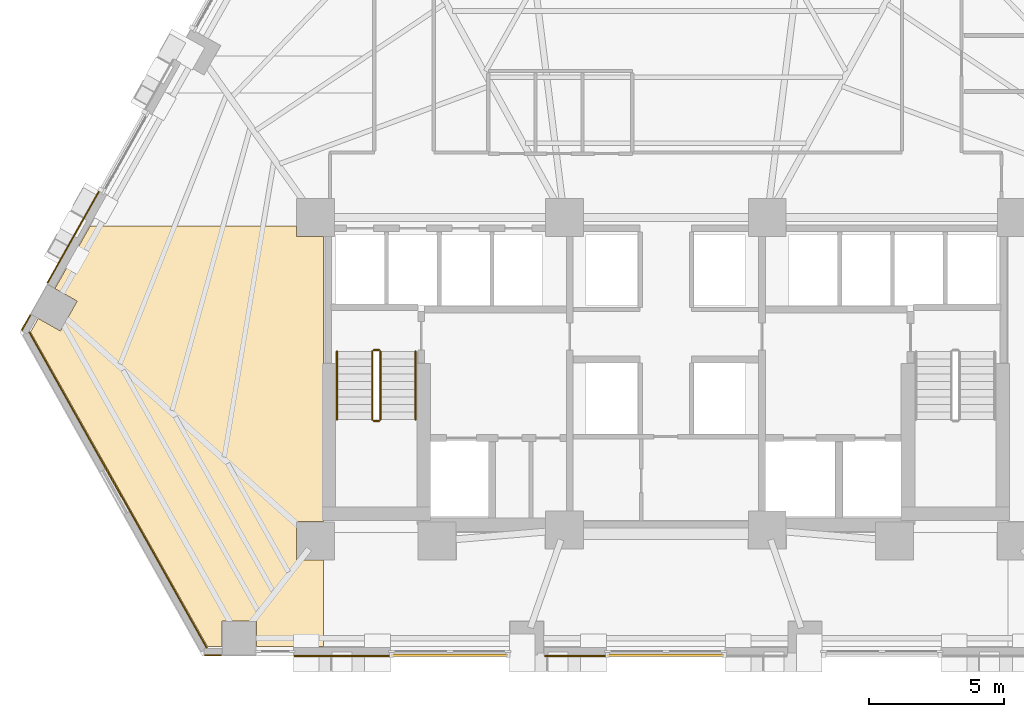
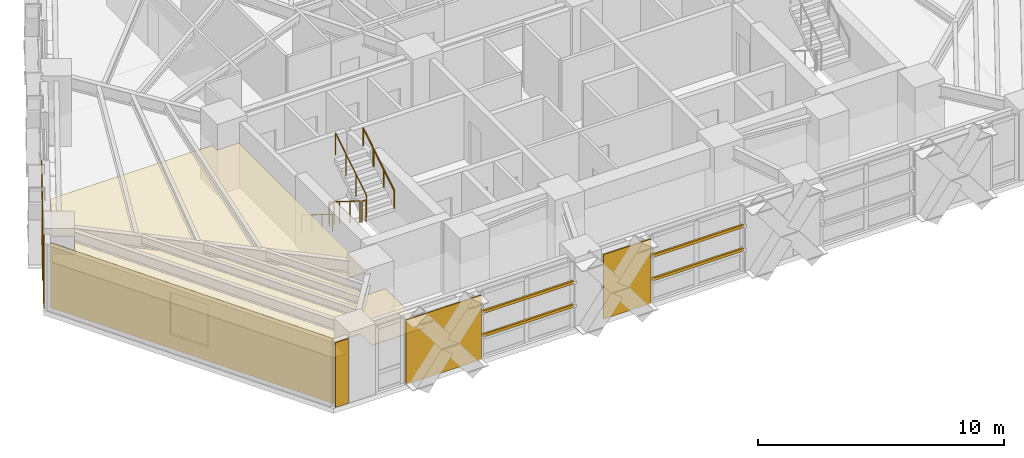
# One storey, part 10 of 13: 7 coverings, 6 railings, 4 shading devices.
"""IFC4 building model written with IfcOpenShell, lengths in metres."""

from ifc_helpers import new_model, si_unit, direction, frame, origin, origin_2d, place, context, subcontext, project, spatial, polyline, rectangle, circle, outline, extrude, material, layer, layer_set, material_profile, profile_set, type_object, element, save


model = new_model("IFC4")

# Units and contexts
model_context = context("Model", 3, precision=1e-05, world=origin(), true_north=direction((0.0, 1.0)))
body_context = subcontext(model_context, "Body", "Model", "MODEL_VIEW")
ifc_project = project(units=[si_unit("LENGTHUNIT", "METRE"), si_unit("AREAUNIT", "SQUARE_METRE"), si_unit("VOLUMEUNIT", "CUBIC_METRE"), si_unit("PLANEANGLEUNIT", "RADIAN"), si_unit("MASSUNIT", "GRAM", prefix="KILO")], contexts=[model_context])

# Site, building, storey
site_placement = place(None, origin())
site = spatial("IfcSite", under=ifc_project, at=site_placement, CompositionType="ELEMENT")
building_placement = place(site_placement, origin())
building = spatial("IfcBuilding", under=site, at=building_placement, Name="Quenlor Broadcast Tower", CompositionType="ELEMENT")
storey_placement = place(building_placement, frame((0.0, 0.0, 31.10009765625)))
storey = spatial("IfcBuildingStorey", under=building, at=storey_placement, Name="L07", CompositionType="ELEMENT", Elevation=31.10009765625)

# Covering
ifc_material_1 = material(Name="Acoustic Gypsum Board", Category="other")
ifc_layer_1 = layer(ifc_material_1, 0.0400390625)
ifc_layer_set_1 = layer_set([ifc_layer_1], Name="Broadcast Studio Spring Isolated Ceiling 40")
covering_type_1 = type_object("IfcCoveringType", Name="Broadcast Studio Spring Isolated Ceiling 40", PredefinedType="CEILING", material=ifc_layer_set_1)
covering_1_placement = place(storey_placement, frame((0.0, 0.0, 2.2099609375)))
element("IfcCovering", 1, at=covering_1_placement, inside=storey, type_object=covering_type_1, Name="L07 Acoustic Ceiling L07-38-3", PredefinedType="CEILING", context=body_context, shape_type="SweptSolid", body=[
    extrude(outline(polyline([(-13.657958984375, -5.508056640625), (-12.64990234375, -5.508056640625), (-12.64990234375, -16.0419921875), (-13.657958984375, -16.0419921875), (-13.657958984375, -17.4580078125), (-12.64990234375, -17.4580078125), (-12.64990234375, -20.659912109375), (-15.132080078125, -20.659912109375), (-15.132080078125, -19.717041015625), (-16.398193359375, -19.717041015625), (-16.398193359375, -20.659912109375), (-16.937255859375, -20.659912109375), (-23.477783203125, -9.031982421875), (-23.196533203125, -8.531982421875), (-22.374755859375, -8.994140625), (-21.754150390625, -7.890625), (-22.575927734375, -7.428466796875), (-21.27734375, -5.1201171875), (-13.657958984375, -5.1201171875), (-13.657958984375, -5.508056640625)])), origin(), (0.0, 0.0, 1.0), 0.0400390625),
])

# Shading devices
ifc_material_2 = material(Name="Architectural Terracotta Ceramic", Category="masonry")
ifc_material_profile = material_profile(ifc_material_2, rectangle(XDim=0.090087890625, YDim=0.139892578125, at=origin_2d()))
ifc_profile_set = profile_set([ifc_material_profile], Name="Architectural Terracotta Ceramic BAG90x140")
shading_device_type = type_object("IfcShadingDeviceType", Name="Copper Terracotta Baguette Solar Screen 140", PredefinedType="USERDEFINED", material=ifc_profile_set)
for number, where, z_axis, x_axis, name in (
    (2, (-5.830810546875, -20.98291015625, 1.169921875), (-1.0, 0.0, 0.0), (0.0, -1.0, 0.0), "L07 Terracotta Baguette Screen 1"),
    (3, (-5.830810546875, -20.98291015625, 2.33984375), (-1.0, 0.0, 0.0), (0.0, -1.0, 0.0), "L07 Terracotta Baguette Screen 2"),
):
    element("IfcShadingDevice", number, at=place(storey_placement, frame(where, z_axis=z_axis, x_axis=x_axis)), inside=storey, type_object=shading_device_type, Name=name, ObjectType="BAGUETTE", PredefinedType="USERDEFINED", context=body_context, shape_type="SweptSolid", body=[
        extrude(rectangle(XDim=0.090087890625, YDim=0.139892578125, at=origin_2d()), origin(), (0.0, 0.0, 1.0), 4.303955078125),
    ])
for number, where, z_axis, x_axis, name in (
    (4, (2.154296875, -20.98291015625, 1.169921875), (-1.0, 0.0, 0.0), (0.0, -1.0, 0.0), "L07 Terracotta Baguette Screen 1"),
    (5, (2.154296875, -20.98291015625, 2.33984375), (-1.0, 0.0, 0.0), (0.0, -1.0, 0.0), "L07 Terracotta Baguette Screen 2"),
):
    element("IfcShadingDevice", number, at=place(storey_placement, frame(where, z_axis=z_axis, x_axis=x_axis)), inside=storey, type_object=shading_device_type, Name=name, ObjectType="BAGUETTE", PredefinedType="USERDEFINED", context=body_context, shape_type="SweptSolid", body=[
        extrude(rectangle(XDim=0.090087890625, YDim=0.139892578125, at=origin_2d()), origin(), (0.0, 0.0, 1.0), 4.30859375),
    ])

# Coverings
ifc_material_3 = material(Name="Architectural Terracotta Ceramic", Category="masonry")
ifc_layer_2 = layer(ifc_material_3, 0.044921875)
ifc_layer_set_2 = layer_set([ifc_layer_2], Name="Fluted Terracotta Rainscreen Cladding Panel")
covering_type_2 = type_object("IfcCoveringType", Name="Fluted Terracotta Rainscreen Cladding Panel", PredefinedType="CLADDING", material=ifc_layer_set_2)
covering_2_placement = place(storey_placement, frame((0.0, 0.0, 0.02001953125)))
element("IfcCovering", 6, at=covering_2_placement, inside=storey, type_object=covering_type_2, Name="L07 Terracotta Rainscreen Cladding L07-SHD-SS1", PredefinedType="CLADDING", context=body_context, shape_type="SweptSolid", body=[
    extrude(outline(polyline([(-16.425048828125, -20.951904296875), (-17.0458984375, -20.951904296875), (-17.0458984375, -20.9970703125), (-16.425048828125, -20.9970703125), (-16.425048828125, -20.951904296875)])), origin(), (0.0, 0.0, 1.0), 3.2099609375),
])
covering_3_placement = place(storey_placement, frame((0.0, 0.0, 0.02001953125)))
element("IfcCovering", 7, at=covering_3_placement, inside=storey, type_object=covering_type_2, Name="L07 Terracotta Rainscreen Cladding L07-SC-SP1", PredefinedType="CLADDING", context=body_context, shape_type="SweptSolid", body=[
    extrude(outline(polyline([(-10.20458984375, -20.98193359375), (-13.73681640625, -20.98193359375), (-13.73681640625, -21.027099609375), (-10.20458984375, -21.027099609375), (-10.20458984375, -20.98193359375)])), origin(), (0.0, 0.0, 1.0), 3.2099609375),
])
covering_4_placement = place(storey_placement, frame((0.0, 0.0, 0.02001953125)))
element("IfcCovering", 8, at=covering_4_placement, inside=storey, type_object=covering_type_2, Name="L07 Terracotta Rainscreen Cladding L07-S-SP2", PredefinedType="CLADDING", context=body_context, shape_type="SweptSolid", body=[
    extrude(outline(polyline([(-2.22412109375, -20.98193359375), (-4.4658203125, -20.98193359375), (-4.4658203125, -21.027099609375), (-2.22412109375, -21.027099609375), (-2.22412109375, -20.98193359375)])), origin(), (0.0, 0.0, 1.0), 3.2099609375),
])
covering_5_placement = place(storey_placement, frame((0.0, 0.0, 0.02001953125)))
element("IfcCovering", 9, at=covering_5_placement, inside=storey, type_object=covering_type_2, Name="L07 Terracotta Rainscreen Cladding L07-SHD-NWS0", PredefinedType="CLADDING", context=body_context, shape_type="SweptSolid", body=[
    extrude(outline(polyline([(-23.781982421875, -8.97705078125), (-23.464111328125, -8.412109375), (-23.50341796875, -8.39013671875), (-23.8212890625, -8.955078125), (-23.781982421875, -8.97705078125)])), origin(), (0.0, 0.0, 1.0), 3.2099609375),
])
covering_6_placement = place(storey_placement, frame((0.0, 0.0, 0.02001953125)))
element("IfcCovering", 10, at=covering_6_placement, inside=storey, type_object=covering_type_2, Name="L07 Terracotta Rainscreen Cladding L07-NWA-SP1", PredefinedType="CLADDING", context=body_context, shape_type="SweptSolid", body=[
    extrude(outline(polyline([(-22.83349609375, -7.2294921875), (-20.9228515625, -3.8330078125), (-20.962158203125, -3.81103515625), (-22.872802734375, -7.20751953125), (-22.83349609375, -7.2294921875)])), origin(), (0.0, 0.0, 1.0), 3.2099609375),
])
covering_7_placement = place(storey_placement, frame((0.0, 0.0, 0.02001953125)))
element("IfcCovering", 11, at=covering_7_placement, inside=storey, type_object=covering_type_2, Name="L07 Terracotta Rainscreen Cladding L07-CNR-04", PredefinedType="CLADDING", context=body_context, shape_type="SweptSolid", body=[
    extrude(outline(polyline([(-23.547607421875, -9.046875), (-16.98388671875, -20.71533203125), (-16.94482421875, -20.693359375), (-23.50830078125, -9.02490234375), (-23.547607421875, -9.046875)])), origin(), (0.0, 0.0, 1.0), 3.2099609375),
])

# Railings
ifc_material_4 = material(Name="Anodised Aluminium", Category="aluminium")
railing_type_1 = type_object("IfcRailingType", Name="Stainless Aluminium Wall Handrail 900", PredefinedType="HANDRAIL", material=ifc_material_4)
railing_1_placement = place(storey_placement, frame((-12.14990234375, -9.75, 0.1748046875)))
element("IfcRailing", 12, at=railing_1_placement, inside=storey, type_object=railing_type_1, Name="L07 ST-1 stair handrail 1", PredefinedType="HANDRAIL", context=body_context, shape_type="SweptSolid", body=[
    extrude(circle(Radius=0.02392578125, at=origin_2d()), frame((0.0, 0.0, 0.8759765625), z_axis=(0.0, -0.847970611238, 0.530043245855), x_axis=(1.0, 0.0, 0.0)), (0.0, 0.0, 1.0), 2.971923828125),
    extrude(circle(Radius=0.02099609375, at=origin_2d()), origin(), (0.0, 0.0, 1.0), 0.851806640625),
    extrude(circle(Radius=0.02099609375, at=origin_2d()), frame((0.0, -0.840087890625, 0.525146484375)), (0.0, 0.0, 1.0), 0.851806640625),
    extrude(circle(Radius=0.02099609375, at=origin_2d()), frame((0.0, -1.679931640625, 1.050048828125)), (0.0, 0.0, 1.0), 0.851806640625),
    extrude(circle(Radius=0.02099609375, at=origin_2d()), frame((0.0, -2.52001953125, 1.5751953125)), (0.0, 0.0, 1.0), 0.851806640625),
])
railing_2_placement = place(storey_placement, frame((-9.25, -12.27001953125, 1.9248046875)))
element("IfcRailing", 13, at=railing_2_placement, inside=storey, type_object=railing_type_1, Name="L07 ST-1 stair handrail 2", PredefinedType="HANDRAIL", context=body_context, shape_type="SweptSolid", body=[
    extrude(circle(Radius=0.02392578125, at=origin_2d()), frame((0.0, 0.0, 0.8759765625), z_axis=(0.0, 0.847970611238, 0.530043245855), x_axis=(-1.0, 0.0, 0.0)), (0.0, 0.0, 1.0), 2.971923828125),
    extrude(circle(Radius=0.02099609375, at=origin_2d()), origin(), (0.0, 0.0, 1.0), 0.851806640625),
    extrude(circle(Radius=0.02099609375, at=origin_2d()), frame((0.0, 0.840087890625, 0.525146484375)), (0.0, 0.0, 1.0), 0.851806640625),
    extrude(circle(Radius=0.02099609375, at=origin_2d()), frame((0.0, 1.679931640625, 1.050048828125)), (0.0, 0.0, 1.0), 0.851806640625),
    extrude(circle(Radius=0.02099609375, at=origin_2d()), frame((0.0, 2.52001953125, 1.5751953125)), (0.0, 0.0, 1.0), 0.851806640625),
])
ifc_material_5 = material(Name="Steel S355", Category="steel")
railing_type_2 = type_object("IfcRailingType", Name="Tubular Steel S355 Stair Guardrail 1100", PredefinedType="BALUSTRADE", material=ifc_material_5)
railing_3_placement = place(storey_placement, frame((-10.85009765625, -9.75, 0.1748046875)))
element("IfcRailing", 14, at=railing_3_placement, inside=storey, type_object=railing_type_2, Name="L07 ST-1 stair guard 1", PredefinedType="BALUSTRADE", context=body_context, shape_type="SweptSolid", body=[
    extrude(circle(Radius=0.02392578125, at=origin_2d()), frame((0.0, 0.0, 1.076171875), z_axis=(0.0, -0.847970611238, 0.530043245855), x_axis=(1.0, 0.0, 0.0)), (0.0, 0.0, 1.0), 2.971923828125),
    extrude(circle(Radius=0.02099609375, at=origin_2d()), origin(), (0.0, 0.0, 1.0), 1.052001953125),
    extrude(circle(Radius=0.02099609375, at=origin_2d()), frame((0.0, -0.840087890625, 0.525146484375)), (0.0, 0.0, 1.0), 1.052001953125),
    extrude(circle(Radius=0.02099609375, at=origin_2d()), frame((0.0, -1.679931640625, 1.050048828125)), (0.0, 0.0, 1.0), 1.052001953125),
    extrude(circle(Radius=0.02099609375, at=origin_2d()), frame((0.0, -2.52001953125, 1.5751953125)), (0.0, 0.0, 1.0), 1.052001953125),
])
railing_4_placement = place(storey_placement, frame((-10.800048828125, -12.320068359375, 1.75)))
element("IfcRailing", 15, at=railing_4_placement, inside=storey, type_object=railing_type_2, Name="L07 ST-1 stair guard 2", PredefinedType="BALUSTRADE", context=body_context, shape_type="SweptSolid", body=[
    extrude(circle(Radius=0.02392578125, at=origin_2d()), frame((0.0, 0.0, 1.076171875), z_axis=(1.0, 0.0, 0.0), x_axis=(0.0, 1.0, 0.0)), (0.0, 0.0, 1.0), 0.199951171875),
    extrude(circle(Radius=0.02099609375, at=origin_2d()), origin(), (0.0, 0.0, 1.0), 1.052001953125),
    extrude(circle(Radius=0.02099609375, at=origin_2d()), frame((0.199951171875, 0.0, 0.0)), (0.0, 0.0, 1.0), 1.052001953125),
])
railing_5_placement = place(storey_placement, frame((-10.550048828125, -12.27001953125, 1.9248046875)))
element("IfcRailing", 16, at=railing_5_placement, inside=storey, type_object=railing_type_2, Name="L07 ST-1 stair guard 3", PredefinedType="BALUSTRADE", context=body_context, shape_type="SweptSolid", body=[
    extrude(circle(Radius=0.02392578125, at=origin_2d()), frame((0.0, 0.0, 1.076171875), z_axis=(0.0, 0.847970611238, 0.530043245855), x_axis=(-1.0, 0.0, 0.0)), (0.0, 0.0, 1.0), 2.971923828125),
    extrude(circle(Radius=0.02099609375, at=origin_2d()), origin(), (0.0, 0.0, 1.0), 1.052001953125),
    extrude(circle(Radius=0.02099609375, at=origin_2d()), frame((0.0, 0.840087890625, 0.525146484375)), (0.0, 0.0, 1.0), 1.052001953125),
    extrude(circle(Radius=0.02099609375, at=origin_2d()), frame((0.0, 1.679931640625, 1.050048828125)), (0.0, 0.0, 1.0), 1.052001953125),
    extrude(circle(Radius=0.02099609375, at=origin_2d()), frame((0.0, 2.52001953125, 1.5751953125)), (0.0, 0.0, 1.0), 1.052001953125),
])
railing_6_placement = place(storey_placement, frame((-10.800048828125, -9.699951171875, 0.0)))
element("IfcRailing", 17, at=railing_6_placement, inside=storey, type_object=railing_type_2, Name="L07 ST-1 stair guard 4", PredefinedType="BALUSTRADE", context=body_context, shape_type="SweptSolid", body=[
    extrude(circle(Radius=0.02392578125, at=origin_2d()), frame((0.0, 0.0, 1.076171875), z_axis=(1.0, 0.0, 0.0), x_axis=(0.0, 1.0, 0.0)), (0.0, 0.0, 1.0), 0.199951171875),
    extrude(circle(Radius=0.02099609375, at=origin_2d()), origin(), (0.0, 0.0, 1.0), 1.052001953125),
    extrude(circle(Radius=0.02099609375, at=origin_2d()), frame((0.199951171875, 0.0, 0.0)), (0.0, 0.0, 1.0), 1.052001953125),
])

save(model, "model.ifc")
